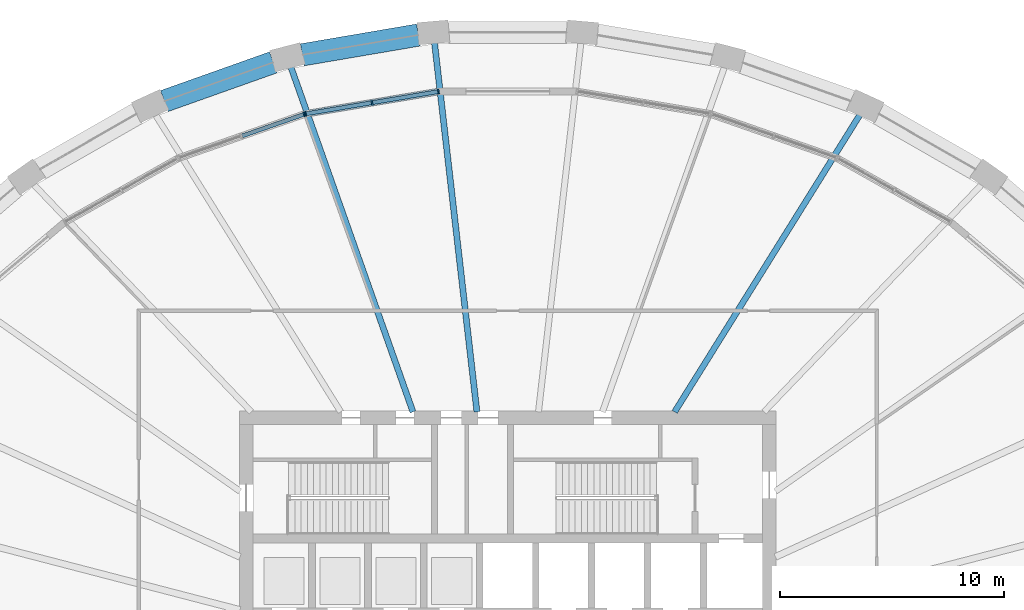
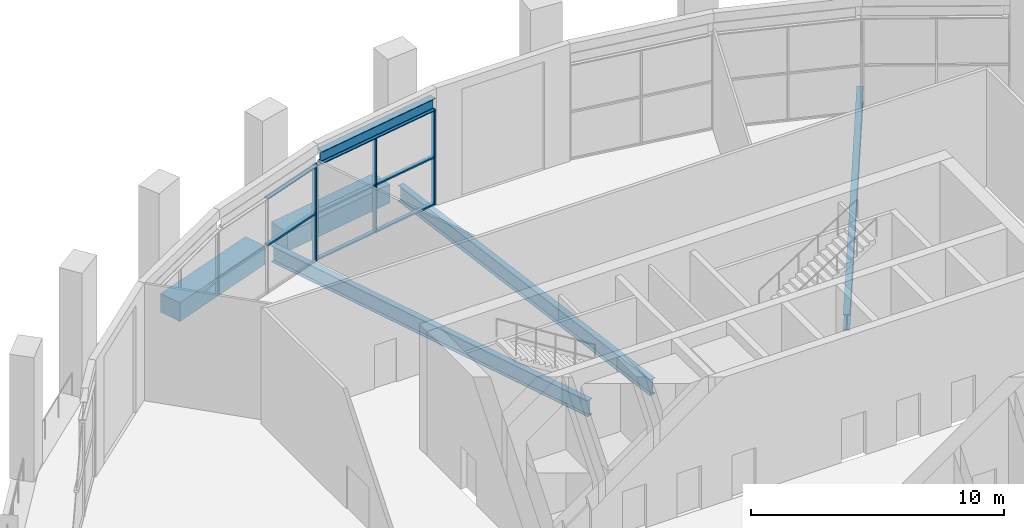
# One storey, part 7 of 19: 12 members, 6 beams, 2 elements without a shape of their own.
"""IFC4 building model written with IfcOpenShell, lengths in metres."""

from ifc_helpers import new_model, si_unit, direction, frame, origin, origin_2d, place, context, subcontext, project, spatial, rectangle, i_section, extrude, material, material_profile, profile_set, type_object, element, aggregate, save


model = new_model("IFC4")

# Units and contexts
model_context = context("Model", 3, precision=1e-05, world=origin(), true_north=direction((0.0, 1.0)))
body_context = subcontext(model_context, "Body", "Model", "MODEL_VIEW")
ifc_project = project(units=[si_unit("LENGTHUNIT", "METRE"), si_unit("AREAUNIT", "SQUARE_METRE"), si_unit("VOLUMEUNIT", "CUBIC_METRE"), si_unit("PLANEANGLEUNIT", "RADIAN"), si_unit("MASSUNIT", "GRAM", prefix="KILO")], contexts=[model_context])

# Site, building, storey
site_placement = place(None, origin())
site = spatial("IfcSite", under=ifc_project, at=site_placement, CompositionType="ELEMENT")
building_placement = place(site_placement, origin())
building = spatial("IfcBuilding", under=site, at=building_placement, Name="Halqa Exchange Tower", CompositionType="ELEMENT")
storey_placement = place(building_placement, frame((0.0, 0.0, 167.5)))
storey = spatial("IfcBuildingStorey", under=building, at=storey_placement, Name="L38", CompositionType="ELEMENT", Elevation=167.5)

# Beams
ifc_material_1 = material(Name="Steel S355", Category="steel")
ifc_material_profile_1 = material_profile(ifc_material_1, i_section(OverallWidth=0.26806640625, OverallDepth=0.77001953125, WebThickness=0.015625, FlangeThickness=0.025390625, FilletRadius=0.01708984375, at=origin_2d()), Name="IPE 750x196")
ifc_profile_set_1 = profile_set([ifc_material_profile_1], Name="Steel S355")
beam_type_1 = type_object("IfcBeamType", Name="Floor beam IPE 750x196", PredefinedType="BEAM", material=ifc_profile_set_1)
beam_1_placement = place(storey_placement, frame((7.46533203125, 11.971435546875, -0.735107421875), z_axis=(0.529139539114, 0.848534824357, 0.0), x_axis=(-0.848534824357, 0.529139539114, 0.0)))
element("IfcBeam", 1, at=beam_1_placement, inside=storey, type_object=beam_type_1, Name="Radial beam 6", PredefinedType="BEAM", context=body_context, shape_type="SweptSolid", body=[
    extrude(i_section(OverallWidth=0.26806640625, OverallDepth=0.77001953125, WebThickness=0.015625, FlangeThickness=0.025390625, FilletRadius=0.01708984375, at=origin_2d()), origin(), (0.0, 0.0, 1.0), 15.73486328125),
])
beam_2_placement = place(storey_placement, frame((-1.37548828125, 11.97119140625, -0.735107421875), z_axis=(-0.114150878314, 0.993463425084, 0.0), x_axis=(-0.993463425084, -0.114150878314, 0.0)))
element("IfcBeam", 2, at=beam_2_placement, inside=storey, type_object=beam_type_1, Name="Radial beam 9", PredefinedType="BEAM", context=body_context, shape_type="SweptSolid", body=[
    extrude(i_section(OverallWidth=0.26806640625, OverallDepth=0.77001953125, WebThickness=0.015625, FlangeThickness=0.025390625, FilletRadius=0.01708984375, at=origin_2d()), origin(), (0.0, 0.0, 1.0), 16.70361328125),
])
beam_3_placement = place(storey_placement, frame((-4.237060546875, 11.972412109375, -0.735107421875), z_axis=(-0.333624740658, 0.942705962865, 0.0), x_axis=(-0.942705962865, -0.333624740658, 0.0)))
element("IfcBeam", 3, at=beam_3_placement, inside=storey, type_object=beam_type_1, Name="Radial beam 10", PredefinedType="BEAM", context=body_context, shape_type="SweptSolid", body=[
    extrude(i_section(OverallWidth=0.26806640625, OverallDepth=0.77001953125, WebThickness=0.015625, FlangeThickness=0.025390625, FilletRadius=0.01708984375, at=origin_2d()), origin(), (0.0, 0.0, 1.0), 16.440185546875),
])
ifc_material_profile_2 = material_profile(ifc_material_1, i_section(OverallWidth=0.300048828125, OverallDepth=0.60009765625, WebThickness=0.015380859375, FlangeThickness=0.030029296875, FilletRadius=0.027099609375, at=origin_2d()), Name="HEB 600")
ifc_profile_set_2 = profile_set([ifc_material_profile_2], Name="Steel S355")
beam_type_2 = type_object("IfcBeamType", Name="Head beam HEB 600", PredefinedType="BEAM", material=ifc_profile_set_2)
beam_4_placement = place(storey_placement, frame((-3.13037109375, 26.287353515625, 4.89990234375), z_axis=(-0.986189441938, -0.165621208213, 0.0), x_axis=(0.165621208213, -0.986189441938, 0.0)))
element("IfcBeam", 4, at=beam_4_placement, inside=storey, type_object=beam_type_2, Name="Spandrel head beam 9", PredefinedType="BEAM", context=body_context, shape_type="SweptSolid", body=[
    extrude(i_section(OverallWidth=0.300048828125, OverallDepth=0.60009765625, WebThickness=0.015380859375, FlangeThickness=0.030029296875, FilletRadius=0.027099609375, at=origin_2d()), origin(), (0.0, 0.0, 1.0), 5.797607421875),
])
ifc_material_2 = material(Name="Concrete C60/75", Category="concrete")
ifc_material_profile_3 = material_profile(ifc_material_2, rectangle(XDim=1.0, YDim=0.89990234375, at=origin_2d()), Name="1000 x 900")
ifc_profile_set_3 = profile_set([ifc_material_profile_3], Name="Concrete C60/75")
beam_type_3 = type_object("IfcBeamType", Name="RC spandrel beam 1000 x 900 C60/75", PredefinedType="SPANDREL", material=ifc_profile_set_3)
beam_5_placement = place(storey_placement, frame((-3.990478515625, 28.82177734375, -0.449951171875), z_axis=(-0.985766792744, -0.168118500836, 0.0), x_axis=(0.168118500836, -0.985766792744, 0.0)))
element("IfcBeam", 5, at=beam_5_placement, inside=storey, type_object=beam_type_3, Name="Spandrel 9", PredefinedType="SPANDREL", context=body_context, shape_type="SweptSolid", body=[
    extrude(rectangle(XDim=1.0, YDim=0.89990234375, at=origin_2d()), origin(), (0.0, 0.0, 1.0), 5.26708984375),
])
beam_6_placement = place(storey_placement, frame((-10.482177734375, 27.59765625, -0.449951171875), z_axis=(-0.942370602203, -0.334570841682, 0.0), x_axis=(0.334570841682, -0.942370602203, 0.0)))
element("IfcBeam", 6, at=beam_6_placement, inside=storey, type_object=beam_type_3, Name="Spandrel 10", PredefinedType="SPANDREL", context=body_context, shape_type="SweptSolid", body=[
    extrude(rectangle(XDim=1.0, YDim=0.89990234375, at=origin_2d()), origin(), (0.0, 0.0, 1.0), 5.169921875),
])

# Curtain wall, members
ifc_material_3 = material(Name="Anodised aluminium and clear glass", Category="aluminium")
curtain_wall_type = type_object("IfcCurtainWallType", Name="Sky lobby glazing", PredefinedType="NOTDEFINED", material=ifc_material_3)
curtain_wall_1_placement = place(storey_placement, origin())
curtain_wall_1 = element("IfcCurtainWall", 7, at=curtain_wall_1_placement, inside=storey, type_object=curtain_wall_type, Name="Sky lobby glazing run G9", PredefinedType="NOTDEFINED")
ifc_material_4 = material(Name="Anodised aluminium", Category="aluminium")
ifc_material_profile_4 = material_profile(ifc_material_4, rectangle(XDim=0.219970703125, YDim=0.070068359375, at=origin_2d()), Name="AL 70x220")
ifc_profile_set_4 = profile_set([ifc_material_profile_4], Name="Anodised aluminium")
member_type_1 = type_object("IfcMemberType", Name="Sky lobby glazing mullion 70 x 220", PredefinedType="MULLION", material=ifc_profile_set_4)
member_1_placement = place(storey_placement, frame((-3.097412109375, 26.29296875, 0.0), z_axis=(0.0, 0.0, 1.0), x_axis=(0.165625859626, -0.986188660766, 0.0)))
member_1 = element("IfcMember", 8, at=member_1_placement, type_object=member_type_1, Name="G9 mullion 1", PredefinedType="MULLION", context=body_context, shape_type="SweptSolid", body=[
    extrude(rectangle(XDim=0.219970703125, YDim=0.070068359375, at=origin_2d()), origin(), (0.0, 0.0, 1.0), 4.60009765625),
])
member_2_placement = place(storey_placement, frame((-6.067138671875, 25.794189453125, 0.0), z_axis=(0.0, 0.0, 1.0), x_axis=(0.165625859626, -0.986188660766, 0.0)))
member_2 = element("IfcMember", 9, at=member_2_placement, type_object=member_type_1, Name="G9 mullion 2", PredefinedType="MULLION", context=body_context, shape_type="SweptSolid", body=[
    extrude(rectangle(XDim=0.219970703125, YDim=0.070068359375, at=origin_2d()), origin(), (0.0, 0.0, 1.0), 4.60009765625),
])
member_3_placement = place(storey_placement, frame((-9.036865234375, 25.29541015625, 0.0), z_axis=(0.0, 0.0, 1.0), x_axis=(0.165625859626, -0.986188660766, 0.0)))
member_3 = element("IfcMember", 10, at=member_3_placement, type_object=member_type_1, Name="G9 mullion 3", PredefinedType="MULLION", context=body_context, shape_type="SweptSolid", body=[
    extrude(rectangle(XDim=0.219970703125, YDim=0.070068359375, at=origin_2d()), origin(), (0.0, 0.0, 1.0), 4.60009765625),
])

# Curtain wall, member
curtain_wall_2_placement = place(storey_placement, origin())
curtain_wall_2 = element("IfcCurtainWall", 11, at=curtain_wall_2_placement, inside=storey, type_object=curtain_wall_type, Name="Sky lobby glazing run G10", PredefinedType="NOTDEFINED")
member_4_placement = place(storey_placement, frame((-9.1044921875, 25.278076171875, 0.0), z_axis=(0.0, 0.0, 1.0), x_axis=(0.330100113683, -0.943945927978, 0.0)))
member_4 = element("IfcMember", 12, at=member_4_placement, type_object=member_type_1, Name="G10 mullion 1", PredefinedType="MULLION", context=body_context, shape_type="SweptSolid", body=[
    extrude(rectangle(XDim=0.219970703125, YDim=0.070068359375, at=origin_2d()), origin(), (0.0, 0.0, 1.0), 4.60009765625),
])

# Member
ifc_material_profile_5 = material_profile(ifc_material_4, rectangle(XDim=0.179931640625, YDim=0.070068359375, at=origin_2d()), Name="AL 70x180")
ifc_profile_set_5 = profile_set([ifc_material_profile_5], Name="Anodised aluminium")
member_type_2 = type_object("IfcMemberType", Name="Sky lobby glazing transom 70 x 180", PredefinedType="USERDEFINED", material=ifc_profile_set_5)
member_5_placement = place(storey_placement, frame((-3.1318359375, 26.287109375, 0.034912109375), z_axis=(-0.986195809365, -0.165583288982, 0.0), x_axis=(0.165583288982, -0.986195809365, 0.0)))
member_5 = element("IfcMember", 13, at=member_5_placement, type_object=member_type_2, Name="G9 transom 1.1", ObjectType="TRANSOM", PredefinedType="USERDEFINED", context=body_context, shape_type="SweptSolid", body=[
    extrude(rectangle(XDim=0.179931640625, YDim=0.070068359375, at=origin_2d()), origin(), (0.0, 0.0, 1.0), 2.94140625),
])

member_6_placement = place(storey_placement, frame((-3.1318359375, 26.287109375, 2.300048828125), z_axis=(-0.986195809365, -0.165583288982, 0.0), x_axis=(0.165583288982, -0.986195809365, 0.0)))
member_6 = element("IfcMember", 14, at=member_6_placement, type_object=member_type_2, Name="G9 transom 1.2", ObjectType="TRANSOM", PredefinedType="USERDEFINED", context=body_context, shape_type="SweptSolid", body=[
    extrude(rectangle(XDim=0.179931640625, YDim=0.070068359375, at=origin_2d()), origin(), (0.0, 0.0, 1.0), 2.94140625),
])

member_7_placement = place(storey_placement, frame((-3.1318359375, 26.287109375, 4.56494140625), z_axis=(-0.986195809365, -0.165583288982, 0.0), x_axis=(0.165583288982, -0.986195809365, 0.0)))
member_7 = element("IfcMember", 15, at=member_7_placement, type_object=member_type_2, Name="G9 transom 1.3", ObjectType="TRANSOM", PredefinedType="USERDEFINED", context=body_context, shape_type="SweptSolid", body=[
    extrude(rectangle(XDim=0.179931640625, YDim=0.070068359375, at=origin_2d()), origin(), (0.0, 0.0, 1.0), 2.94140625),
])

member_8_placement = place(storey_placement, frame((-6.1015625, 25.788330078125, 0.034912109375), z_axis=(-0.986195809365, -0.165583288982, 0.0), x_axis=(0.165583288982, -0.986195809365, 0.0)))
member_8 = element("IfcMember", 16, at=member_8_placement, type_object=member_type_2, Name="G9 transom 2.1", ObjectType="TRANSOM", PredefinedType="USERDEFINED", context=body_context, shape_type="SweptSolid", body=[
    extrude(rectangle(XDim=0.179931640625, YDim=0.070068359375, at=origin_2d()), origin(), (0.0, 0.0, 1.0), 2.94140625),
])

member_9_placement = place(storey_placement, frame((-6.1015625, 25.788330078125, 2.300048828125), z_axis=(-0.986195809365, -0.165583288982, 0.0), x_axis=(0.165583288982, -0.986195809365, 0.0)))
member_9 = element("IfcMember", 17, at=member_9_placement, type_object=member_type_2, Name="G9 transom 2.2", ObjectType="TRANSOM", PredefinedType="USERDEFINED", context=body_context, shape_type="SweptSolid", body=[
    extrude(rectangle(XDim=0.179931640625, YDim=0.070068359375, at=origin_2d()), origin(), (0.0, 0.0, 1.0), 2.94140625),
])

member_10_placement = place(storey_placement, frame((-6.1015625, 25.788330078125, 4.56494140625), z_axis=(-0.986195809365, -0.165583288982, 0.0), x_axis=(0.165583288982, -0.986195809365, 0.0)))
member_10 = element("IfcMember", 18, at=member_10_placement, type_object=member_type_2, Name="G9 transom 2.3", ObjectType="TRANSOM", PredefinedType="USERDEFINED", context=body_context, shape_type="SweptSolid", body=[
    extrude(rectangle(XDim=0.179931640625, YDim=0.070068359375, at=origin_2d()), origin(), (0.0, 0.0, 1.0), 2.94140625),
])

aggregate(curtain_wall_1, [member_1, member_2, member_3, member_5, member_6, member_7, member_8, member_9, member_10])

member_11_placement = place(storey_placement, frame((-9.137451171875, 25.2666015625, 2.300048828125), z_axis=(-0.943931992269, -0.330139961186, 0.0), x_axis=(0.330139961186, -0.943931992269, 0.0)))
member_11 = element("IfcMember", 19, at=member_11_placement, type_object=member_type_2, Name="G10 transom 1.2", ObjectType="TRANSOM", PredefinedType="USERDEFINED", context=body_context, shape_type="SweptSolid", body=[
    extrude(rectangle(XDim=0.179931640625, YDim=0.070068359375, at=origin_2d()), origin(), (0.0, 0.0, 1.0), 2.893798828125),
])

member_12_placement = place(storey_placement, frame((-9.137451171875, 25.2666015625, 4.56494140625), z_axis=(-0.943931992269, -0.330139961186, 0.0), x_axis=(0.330139961186, -0.943931992269, 0.0)))
member_12 = element("IfcMember", 20, at=member_12_placement, type_object=member_type_2, Name="G10 transom 1.3", ObjectType="TRANSOM", PredefinedType="USERDEFINED", context=body_context, shape_type="SweptSolid", body=[
    extrude(rectangle(XDim=0.179931640625, YDim=0.070068359375, at=origin_2d()), origin(), (0.0, 0.0, 1.0), 2.893798828125),
])

aggregate(curtain_wall_2, [member_4, member_11, member_12])

save(model, "model.ifc")
